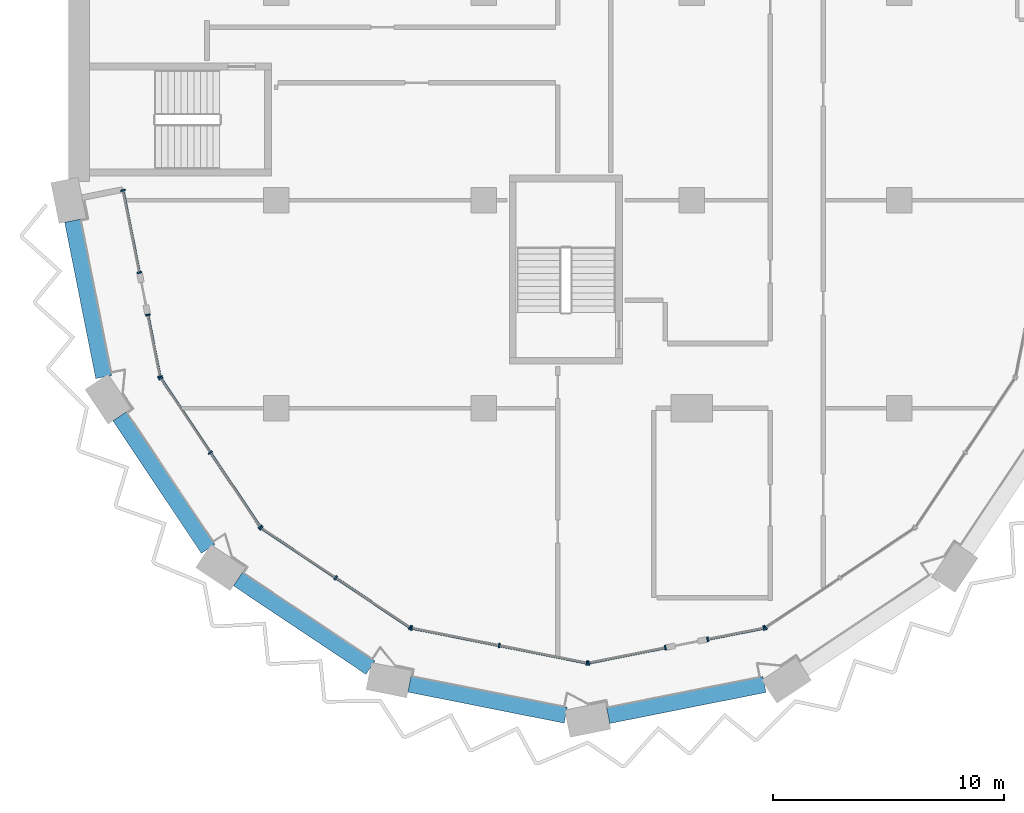
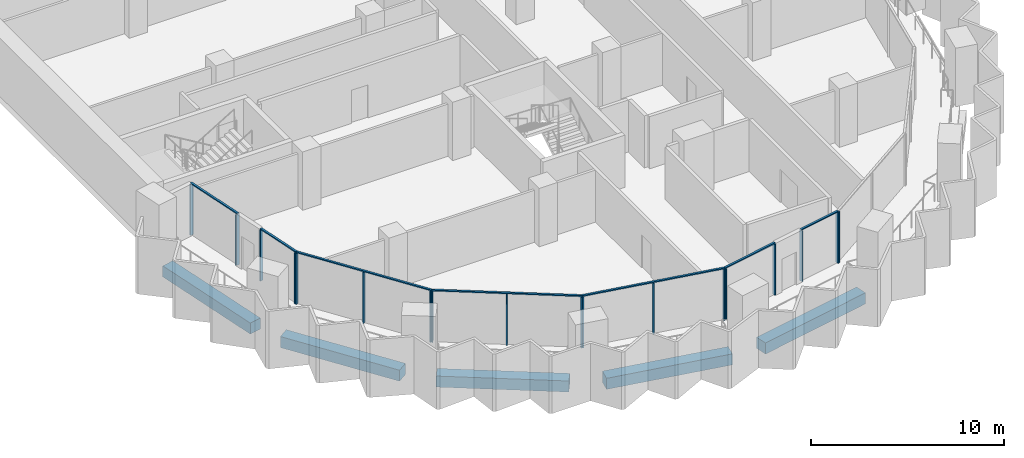
# One storey, part 2 of 17: 25 members, 5 beams, 8 elements without a shape of their own.
"""IFC4 building model written with IfcOpenShell, lengths in metres."""

from ifc_helpers import new_model, si_unit, direction, frame, origin, origin_2d, place, context, subcontext, project, spatial, rectangle, extrude, material, material_profile, profile_set, type_object, element, aggregate, save


model = new_model("IFC4")

# Units and contexts
model_context = context("Model", 3, precision=1e-05, world=origin(), true_north=direction((0.0, 1.0)))
body_context = subcontext(model_context, "Body", "Model", "MODEL_VIEW")
ifc_project = project(units=[si_unit("LENGTHUNIT", "METRE"), si_unit("AREAUNIT", "SQUARE_METRE"), si_unit("VOLUMEUNIT", "CUBIC_METRE"), si_unit("PLANEANGLEUNIT", "RADIAN"), si_unit("MASSUNIT", "GRAM", prefix="KILO")], contexts=[model_context])

# Site, building, storey
site_placement = place(None, origin())
site = spatial("IfcSite", under=ifc_project, at=site_placement, CompositionType="ELEMENT")
building_placement = place(site_placement, origin())
building = spatial("IfcBuilding", under=site, at=building_placement, Name="Hunhe Ridgeline Campus", CompositionType="ELEMENT")
storey_placement = place(building_placement, frame((0.0, 0.0, 205.0)))
storey = spatial("IfcBuildingStorey", under=building, at=storey_placement, Name="L52", CompositionType="ELEMENT", Elevation=205.0)

# Curtain wall, members
ifc_material_1 = material(Name="Aluminium 6063", Category="aluminium")
curtain_wall_type = type_object("IfcCurtainWallType", Name="Curtain wall CW-5", PredefinedType="NOTDEFINED", material=ifc_material_1)
curtain_wall_1_placement = place(storey_placement, origin())
curtain_wall_1 = element("IfcCurtainWall", 1, at=curtain_wall_1_placement, inside=storey, type_object=curtain_wall_type, Name="Curtain wall 01", PredefinedType="NOTDEFINED")
ifc_material_profile_1 = material_profile(ifc_material_1, rectangle(XDim=0.199951171875, YDim=0.070068359375, at=origin_2d()))
ifc_profile_set_1 = profile_set([ifc_material_profile_1], Name="Aluminium 6063")
member_type_1 = type_object("IfcMemberType", Name="CW-5 aluminium mullion", PredefinedType="MULLION", material=ifc_profile_set_1)
member_1_placement = place(storey_placement, frame((2.361572265625, 36.434326171875, 0.0), z_axis=(0.0, 0.0, 1.0), x_axis=(0.980784284924, 0.195095326561, 0.0)))
member_1 = element("IfcMember", 2, at=member_1_placement, type_object=member_type_1, Name="CW-5 mullion 1", PredefinedType="MULLION", context=body_context, shape_type="SweptSolid", body=[
    extrude(rectangle(XDim=0.199951171875, YDim=0.070068359375, at=origin_2d()), origin(), (0.0, 0.0, 1.0), 3.22998046875),
])
member_2_placement = place(storey_placement, frame((3.070068359375, 32.873291015625, 0.0), z_axis=(0.0, 0.0, 1.0), x_axis=(0.980784284924, 0.195095326561, 0.0)))
member_2 = element("IfcMember", 3, at=member_2_placement, type_object=member_type_1, Name="CW-5 mullion 2", PredefinedType="MULLION", context=body_context, shape_type="SweptSolid", body=[
    extrude(rectangle(XDim=0.199951171875, YDim=0.070068359375, at=origin_2d()), origin(), (0.0, 0.0, 1.0), 3.22998046875),
])

curtain_wall_2_placement = place(storey_placement, origin())
curtain_wall_2 = element("IfcCurtainWall", 4, at=curtain_wall_2_placement, inside=storey, type_object=curtain_wall_type, Name="Curtain wall 02", PredefinedType="NOTDEFINED")
member_3_placement = place(storey_placement, frame((3.434814453125, 31.0390625, 0.0), z_axis=(0.0, 0.0, 1.0), x_axis=(0.980784297053, 0.195095265587, 0.0)))
member_3 = element("IfcMember", 5, at=member_3_placement, type_object=member_type_1, Name="CW-5 mullion 1", PredefinedType="MULLION", context=body_context, shape_type="SweptSolid", body=[
    extrude(rectangle(XDim=0.199951171875, YDim=0.070068359375, at=origin_2d()), origin(), (0.0, 0.0, 1.0), 3.22998046875),
])
member_4_placement = place(storey_placement, frame((3.967529296875, 28.36083984375, 0.0), z_axis=(0.0, 0.0, 1.0), x_axis=(0.980784297053, 0.195095265587, 0.0)))
member_4 = element("IfcMember", 6, at=member_4_placement, type_object=member_type_1, Name="CW-5 mullion 2", PredefinedType="MULLION", context=body_context, shape_type="SweptSolid", body=[
    extrude(rectangle(XDim=0.199951171875, YDim=0.070068359375, at=origin_2d()), origin(), (0.0, 0.0, 1.0), 3.22998046875),
])

curtain_wall_3_placement = place(storey_placement, origin())
curtain_wall_3 = element("IfcCurtainWall", 7, at=curtain_wall_3_placement, inside=storey, type_object=curtain_wall_type, Name="Curtain wall 03", PredefinedType="NOTDEFINED")
member_5_placement = place(storey_placement, frame((3.993896484375, 28.29736328125, 0.0), z_axis=(0.0, 0.0, 1.0), x_axis=(0.831469584522, 0.555570274596, 0.0)))
member_5 = element("IfcMember", 8, at=member_5_placement, type_object=member_type_1, Name="CW-5 mullion 1", PredefinedType="MULLION", context=body_context, shape_type="SweptSolid", body=[
    extrude(rectangle(XDim=0.199951171875, YDim=0.070068359375, at=origin_2d()), origin(), (0.0, 0.0, 1.0), 3.22998046875),
])
member_6_placement = place(storey_placement, frame((6.147705078125, 25.07373046875, 0.0), z_axis=(0.0, 0.0, 1.0), x_axis=(0.831469584522, 0.555570274596, 0.0)))
member_6 = element("IfcMember", 9, at=member_6_placement, type_object=member_type_1, Name="CW-5 mullion 2", PredefinedType="MULLION", context=body_context, shape_type="SweptSolid", body=[
    extrude(rectangle(XDim=0.199951171875, YDim=0.070068359375, at=origin_2d()), origin(), (0.0, 0.0, 1.0), 3.22998046875),
])
member_7_placement = place(storey_placement, frame((8.3017578125, 21.850341796875, 0.0), z_axis=(0.0, 0.0, 1.0), x_axis=(0.831469584522, 0.555570274596, 0.0)))
member_7 = element("IfcMember", 10, at=member_7_placement, type_object=member_type_1, Name="CW-5 mullion 3", PredefinedType="MULLION", context=body_context, shape_type="SweptSolid", body=[
    extrude(rectangle(XDim=0.199951171875, YDim=0.070068359375, at=origin_2d()), origin(), (0.0, 0.0, 1.0), 3.22998046875),
])

curtain_wall_4_placement = place(storey_placement, origin())
curtain_wall_4 = element("IfcCurtainWall", 11, at=curtain_wall_4_placement, inside=storey, type_object=curtain_wall_type, Name="Curtain wall 04", PredefinedType="NOTDEFINED")
member_8_placement = place(storey_placement, frame((8.350341796875, 21.8017578125, 0.0), z_axis=(0.0, 0.0, 1.0), x_axis=(0.555570274596, 0.831469584522, 0.0)))
member_8 = element("IfcMember", 12, at=member_8_placement, type_object=member_type_1, Name="CW-5 mullion 1", PredefinedType="MULLION", context=body_context, shape_type="SweptSolid", body=[
    extrude(rectangle(XDim=0.199951171875, YDim=0.070068359375, at=origin_2d()), origin(), (0.0, 0.0, 1.0), 3.22998046875),
])
member_9_placement = place(storey_placement, frame((11.57373046875, 19.647705078125, 0.0), z_axis=(0.0, 0.0, 1.0), x_axis=(0.555570274596, 0.831469584522, 0.0)))
member_9 = element("IfcMember", 13, at=member_9_placement, type_object=member_type_1, Name="CW-5 mullion 2", PredefinedType="MULLION", context=body_context, shape_type="SweptSolid", body=[
    extrude(rectangle(XDim=0.199951171875, YDim=0.070068359375, at=origin_2d()), origin(), (0.0, 0.0, 1.0), 3.22998046875),
])
member_10_placement = place(storey_placement, frame((14.79736328125, 17.493896484375, 0.0), z_axis=(0.0, 0.0, 1.0), x_axis=(0.555570274596, 0.831469584522, 0.0)))
member_10 = element("IfcMember", 14, at=member_10_placement, type_object=member_type_1, Name="CW-5 mullion 3", PredefinedType="MULLION", context=body_context, shape_type="SweptSolid", body=[
    extrude(rectangle(XDim=0.199951171875, YDim=0.070068359375, at=origin_2d()), origin(), (0.0, 0.0, 1.0), 3.22998046875),
])

curtain_wall_5_placement = place(storey_placement, origin())
curtain_wall_5 = element("IfcCurtainWall", 15, at=curtain_wall_5_placement, inside=storey, type_object=curtain_wall_type, Name="Curtain wall 05", PredefinedType="NOTDEFINED")
member_11_placement = place(storey_placement, frame((14.86083984375, 17.467529296875, 0.0), z_axis=(0.0, 0.0, 1.0), x_axis=(0.195090347539, 0.980785275326, 0.0)))
member_11 = element("IfcMember", 16, at=member_11_placement, type_object=member_type_1, Name="CW-5 mullion 1", PredefinedType="MULLION", context=body_context, shape_type="SweptSolid", body=[
    extrude(rectangle(XDim=0.199951171875, YDim=0.070068359375, at=origin_2d()), origin(), (0.0, 0.0, 1.0), 3.22998046875),
])
member_12_placement = place(storey_placement, frame((18.663330078125, 16.711181640625, 0.0), z_axis=(0.0, 0.0, 1.0), x_axis=(0.195090347539, 0.980785275326, 0.0)))
member_12 = element("IfcMember", 17, at=member_12_placement, type_object=member_type_1, Name="CW-5 mullion 2", PredefinedType="MULLION", context=body_context, shape_type="SweptSolid", body=[
    extrude(rectangle(XDim=0.199951171875, YDim=0.070068359375, at=origin_2d()), origin(), (0.0, 0.0, 1.0), 3.22998046875),
])
member_13_placement = place(storey_placement, frame((22.465576171875, 15.954833984375, 0.0), z_axis=(0.0, 0.0, 1.0), x_axis=(0.195090347539, 0.980785275326, 0.0)))
member_13 = element("IfcMember", 18, at=member_13_placement, type_object=member_type_1, Name="CW-5 mullion 3", PredefinedType="MULLION", context=body_context, shape_type="SweptSolid", body=[
    extrude(rectangle(XDim=0.199951171875, YDim=0.070068359375, at=origin_2d()), origin(), (0.0, 0.0, 1.0), 3.22998046875),
])

curtain_wall_6_placement = place(storey_placement, origin())
curtain_wall_6 = element("IfcCurtainWall", 19, at=curtain_wall_6_placement, inside=storey, type_object=curtain_wall_type, Name="Curtain wall 06", PredefinedType="NOTDEFINED")
member_14_placement = place(storey_placement, frame((22.534423828125, 15.954833984375, 0.0), z_axis=(0.0, 0.0, 1.0), x_axis=(-0.19509037034, 0.980785270791, 0.0)))
member_14 = element("IfcMember", 20, at=member_14_placement, type_object=member_type_1, Name="CW-5 mullion 1", PredefinedType="MULLION", context=body_context, shape_type="SweptSolid", body=[
    extrude(rectangle(XDim=0.199951171875, YDim=0.070068359375, at=origin_2d()), origin(), (0.0, 0.0, 1.0), 3.22998046875),
])
member_15_placement = place(storey_placement, frame((25.861083984375, 16.61669921875, 0.0), z_axis=(0.0, 0.0, 1.0), x_axis=(-0.19509037034, 0.980785270791, 0.0)))
member_15 = element("IfcMember", 21, at=member_15_placement, type_object=member_type_1, Name="CW-5 mullion 2", PredefinedType="MULLION", context=body_context, shape_type="SweptSolid", body=[
    extrude(rectangle(XDim=0.199951171875, YDim=0.070068359375, at=origin_2d()), origin(), (0.0, 0.0, 1.0), 3.22998046875),
])

curtain_wall_7_placement = place(storey_placement, origin())
curtain_wall_7 = element("IfcCurtainWall", 22, at=curtain_wall_7_placement, inside=storey, type_object=curtain_wall_type, Name="Curtain wall 07", PredefinedType="NOTDEFINED")
member_16_placement = place(storey_placement, frame((27.695068359375, 16.9814453125, 0.0), z_axis=(0.0, 0.0, 1.0), x_axis=(-0.195090514627, 0.980785242091, 0.0)))
member_16 = element("IfcMember", 23, at=member_16_placement, type_object=member_type_1, Name="CW-5 mullion 1", PredefinedType="MULLION", context=body_context, shape_type="SweptSolid", body=[
    extrude(rectangle(XDim=0.199951171875, YDim=0.070068359375, at=origin_2d()), origin(), (0.0, 0.0, 1.0), 3.22998046875),
])
member_17_placement = place(storey_placement, frame((30.13916015625, 17.467529296875, 0.0), z_axis=(0.0, 0.0, 1.0), x_axis=(-0.195090514627, 0.980785242091, 0.0)))
member_17 = element("IfcMember", 24, at=member_17_placement, type_object=member_type_1, Name="CW-5 mullion 2", PredefinedType="MULLION", context=body_context, shape_type="SweptSolid", body=[
    extrude(rectangle(XDim=0.199951171875, YDim=0.070068359375, at=origin_2d()), origin(), (0.0, 0.0, 1.0), 3.22998046875),
])

# Curtain wall, member
curtain_wall_8_placement = place(storey_placement, origin())
curtain_wall_8 = element("IfcCurtainWall", 25, at=curtain_wall_8_placement, inside=storey, type_object=curtain_wall_type, Name="Curtain wall 08", PredefinedType="NOTDEFINED")
member_18_placement = place(storey_placement, frame((30.20263671875, 17.493896484375, 0.0), z_axis=(0.0, 0.0, 1.0), x_axis=(-0.555570274596, 0.831469584522, 0.0)))
member_18 = element("IfcMember", 26, at=member_18_placement, type_object=member_type_1, Name="CW-5 mullion 1", PredefinedType="MULLION", context=body_context, shape_type="SweptSolid", body=[
    extrude(rectangle(XDim=0.199951171875, YDim=0.070068359375, at=origin_2d()), origin(), (0.0, 0.0, 1.0), 3.22998046875),
])
aggregate(curtain_wall_8, [member_18])

# Member
ifc_material_profile_2 = material_profile(ifc_material_1, rectangle(XDim=0.1201171875, YDim=0.070068359375, at=origin_2d()))
ifc_profile_set_2 = profile_set([ifc_material_profile_2], Name="Aluminium 6063")
member_type_2 = type_object("IfcMemberType", Name="CW-5 aluminium transom", PredefinedType="USERDEFINED", material=ifc_profile_set_2)
member_19_placement = place(storey_placement, frame((2.354736328125, 36.46875, 3.264892578125), z_axis=(0.195126549745, -0.980778073564, 0.0), x_axis=(0.980778073564, 0.195126549745, 0.0)))
member_19 = element("IfcMember", 27, at=member_19_placement, type_object=member_type_2, Name="CW-5 transom 1", ObjectType="TRANSOM", PredefinedType="USERDEFINED", context=body_context, shape_type="SweptSolid", body=[
    extrude(rectangle(XDim=0.1201171875, YDim=0.070068359375, at=origin_2d()), origin(), (0.0, 0.0, 1.0), 3.700927734375),
])

aggregate(curtain_wall_1, [member_19, member_1, member_2])

member_20_placement = place(storey_placement, frame((3.427978515625, 31.073486328125, 3.264892578125), z_axis=(0.195076742145, -0.98078798151, 0.0), x_axis=(0.98078798151, 0.195076742145, 0.0)))
member_20 = element("IfcMember", 28, at=member_20_placement, type_object=member_type_2, Name="CW-5 transom 1", ObjectType="TRANSOM", PredefinedType="USERDEFINED", context=body_context, shape_type="SweptSolid", body=[
    extrude(rectangle(XDim=0.1201171875, YDim=0.070068359375, at=origin_2d()), origin(), (0.0, 0.0, 1.0), 2.80078125),
])

aggregate(curtain_wall_2, [member_20, member_3, member_4])

member_21_placement = place(storey_placement, frame((3.974365234375, 28.326416015625, 3.264892578125), z_axis=(0.5555640203, -0.831473763475, 0.0), x_axis=(0.831473763475, 0.5555640203, 0.0)))
member_21 = element("IfcMember", 29, at=member_21_placement, type_object=member_type_2, Name="CW-5 transom 1", ObjectType="TRANSOM", PredefinedType="USERDEFINED", context=body_context, shape_type="SweptSolid", body=[
    extrude(rectangle(XDim=0.1201171875, YDim=0.070068359375, at=origin_2d()), origin(), (0.0, 0.0, 1.0), 7.823974609375),
])

aggregate(curtain_wall_3, [member_21, member_5, member_6, member_7])

member_22_placement = place(storey_placement, frame((8.321044921875, 21.821044921875, 3.264892578125), z_axis=(0.831473763475, -0.5555640203, 0.0), x_axis=(0.5555640203, 0.831473763475, 0.0)))
member_22 = element("IfcMember", 30, at=member_22_placement, type_object=member_type_2, Name="CW-5 transom 1", ObjectType="TRANSOM", PredefinedType="USERDEFINED", context=body_context, shape_type="SweptSolid", body=[
    extrude(rectangle(XDim=0.1201171875, YDim=0.070068359375, at=origin_2d()), origin(), (0.0, 0.0, 1.0), 7.823974609375),
])

aggregate(curtain_wall_4, [member_22, member_8, member_9, member_10])

member_23_placement = place(storey_placement, frame((14.826416015625, 17.474365234375, 3.264892578125), z_axis=(0.980785367689, -0.195089883198, 0.0), x_axis=(0.195089883198, 0.980785367689, 0.0)))
member_23 = element("IfcMember", 31, at=member_23_placement, type_object=member_type_2, Name="CW-5 transom 1", ObjectType="TRANSOM", PredefinedType="USERDEFINED", context=body_context, shape_type="SweptSolid", body=[
    extrude(rectangle(XDim=0.1201171875, YDim=0.070068359375, at=origin_2d()), origin(), (0.0, 0.0, 1.0), 7.823974609375),
])

aggregate(curtain_wall_5, [member_23, member_11, member_12, member_13])

member_24_placement = place(storey_placement, frame((22.5, 15.947998046875, 3.264892578125), z_axis=(0.980778171596, 0.195126057004, 0.0), x_axis=(-0.195126057004, 0.980778171596, 0.0)))
member_24 = element("IfcMember", 32, at=member_24_placement, type_object=member_type_2, Name="CW-5 transom 1", ObjectType="TRANSOM", PredefinedType="USERDEFINED", context=body_context, shape_type="SweptSolid", body=[
    extrude(rectangle(XDim=0.1201171875, YDim=0.070068359375, at=origin_2d()), origin(), (0.0, 0.0, 1.0), 3.462158203125),
])

aggregate(curtain_wall_6, [member_24, member_14, member_15])

member_25_placement = place(storey_placement, frame((27.660888671875, 16.974609375, 3.264892578125), z_axis=(0.980789038007, 0.195071430315, 0.0), x_axis=(-0.195071430315, 0.980789038007, 0.0)))
member_25 = element("IfcMember", 33, at=member_25_placement, type_object=member_type_2, Name="CW-5 transom 1", ObjectType="TRANSOM", PredefinedType="USERDEFINED", context=body_context, shape_type="SweptSolid", body=[
    extrude(rectangle(XDim=0.1201171875, YDim=0.070068359375, at=origin_2d()), origin(), (0.0, 0.0, 1.0), 2.56201171875),
])

aggregate(curtain_wall_7, [member_25, member_16, member_17])

# Beams
ifc_material_2 = material(Name="Concrete C50", Category="concrete")
ifc_material_profile_3 = material_profile(ifc_material_2, rectangle(XDim=0.699951171875, YDim=0.699951171875, at=origin_2d()))
ifc_profile_set_3 = profile_set([ifc_material_profile_3], Name="Concrete C50")
beam_type = type_object("IfcBeamType", Name="RC spandrel beam 700x700 Concrete C50", PredefinedType="SPANDREL", material=ifc_profile_set_3)
for number, where, z_axis, x_axis, name in (
    (34, (0.175537109375, 35.1171875, -0.60009765625), (0.195102900975, -0.980782778209, 0.0), (0.980782778209, 0.195102900975, 0.0), "Spandrel beam B3-1 L52"),
    (35, (2.212646484375, 26.641357421875, -0.60009765625), (0.55557295, -0.831467796868, 0.0), (0.831467796868, 0.55557295, 0.0), "Spandrel beam B3-2 L52"),
    (36, (7.33837890625, 19.590087890625, -0.60009765625), (0.831467796868, -0.55557295, 0.0), (0.55557295, 0.831467796868, 0.0), "Spandrel beam B3-3 L52"),
    (37, (14.772216796875, 15.037109375, -0.60009765625), (0.980784124029, -0.195096135414, 0.0), (0.195096135414, 0.980784124029, 0.0), "Spandrel beam B3-4 L52"),
    (38, (23.3828125, 13.675537109375, -0.60009765625), (0.980782778209, 0.195102900975, 0.0), (-0.195102900975, 0.980782778209, 0.0), "Spandrel beam B3-5 L52"),
):
    element("IfcBeam", number, at=place(storey_placement, frame(where, z_axis=z_axis, x_axis=x_axis)), inside=storey, type_object=beam_type, Name=name, PredefinedType="SPANDREL", context=body_context, shape_type="SweptSolid", body=[
        extrude(rectangle(XDim=0.699951171875, YDim=0.699951171875, at=origin_2d()), origin(), (0.0, 0.0, 1.0), 6.905029296875),
    ])

save(model, "model.ifc")
